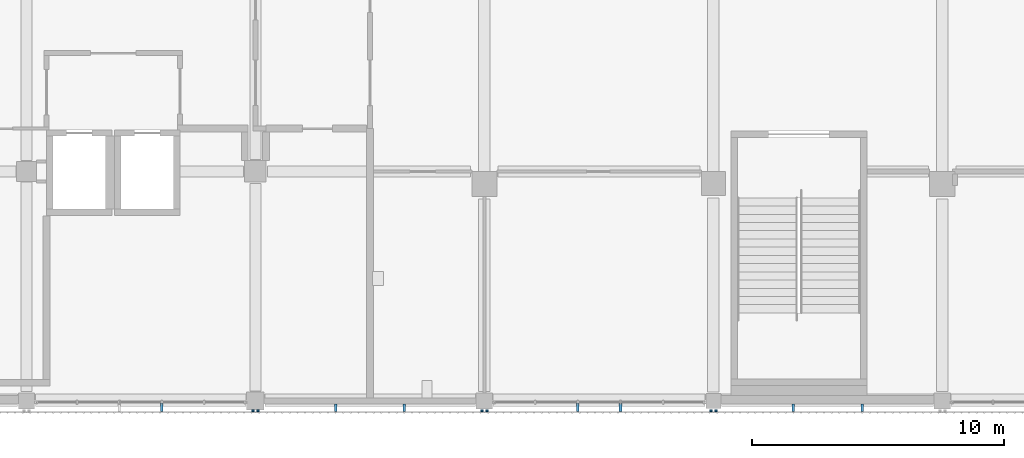
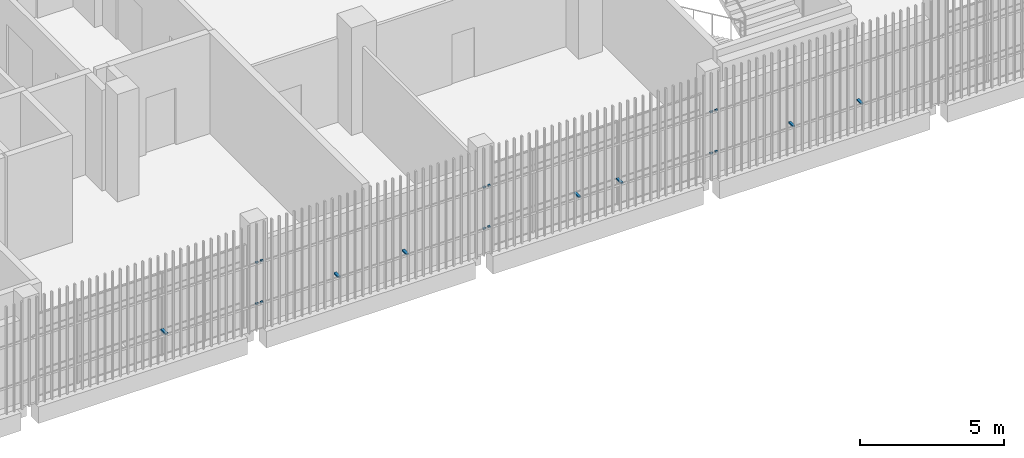
# One storey, part 95 of 126: 19 discrete accessories.
"""IFC4 building model written with IfcOpenShell, lengths in metres."""

import ifcopenshell
import ifcopenshell.guid

model = None  # the IFC model being written
_history = None  # IfcOwnerHistory: only IFC2X3 demands one
_inside = {}  # id of a spatial element -> (the spatial element, [elements in it])
_under = {}  # id of a project, library or spatial element -> (it, [spatial elements below it])
_declared = {}  # id of a project -> (the project, [libraries it declares])
_typed = {}  # id of a type object -> (the type object, [elements of that type])
_made_of = {}  # id of a material, layer set ... -> (it, [elements and type objects made of it])


def new_model(schema):
    """Start an empty IFC model of exactly this schema.

    Asked for "IFC4X3", IfcOpenShell would pick the latest addendum, in which some entities
    have other attributes; the version numbers below select the first issue.
    IFC2X3 requires an IfcOwnerHistory on every rooted entity: one is made here for all.
    """
    global model, _history
    if schema == "IFC4X3":
        model = ifcopenshell.file(schema_version=(4, 3, 0, 0))
    else:
        model = ifcopenshell.file(schema=schema)
    _inside.clear()
    _under.clear()
    _declared.clear()
    _typed.clear()
    _made_of.clear()
    _history = None
    if model.schema == "IFC2X3":
        org = make("IfcOrganization", Name="unknown")
        user = make(
            "IfcPersonAndOrganization",
            ThePerson=make("IfcPerson", FamilyName="unknown"),
            TheOrganization=org,
        )
        app = make(
            "IfcApplication",
            ApplicationDeveloper=org,
            Version="unknown",
            ApplicationFullName="unknown",
            ApplicationIdentifier="unknown",
        )
        _history = make(
            "IfcOwnerHistory",
            OwningUser=user,
            OwningApplication=app,
            ChangeAction="ADDED",
            CreationDate=0,
        )
    return model


def make(cls, **values):
    """One entity of the class cls with the attributes given. An attribute that is None is left unset."""
    return model.create_entity(
        cls, **{name: value for name, value in values.items() if value is not None}
    )


def rooted(cls, **values):
    """An entity with a GlobalId (a new one), such as an element, a storey or a relation."""
    return make(cls, GlobalId=ifcopenshell.guid.new(), OwnerHistory=_history, **values)


def si_unit(unit_type, name, prefix=None):
    """IfcSIUnit, for example si_unit("LENGTHUNIT", "METRE", prefix="MILLI")."""
    return make("IfcSIUnit", UnitType=unit_type, Prefix=prefix, Name=name)


def assignment(units):
    """IfcUnitAssignment: the units of a project."""
    return None if units is None else make("IfcUnitAssignment", Units=units)


def point(xyz):
    """IfcCartesianPoint."""
    return None if xyz is None else make("IfcCartesianPoint", Coordinates=xyz)


def direction(xyz):
    """IfcDirection."""
    return None if xyz is None else make("IfcDirection", DirectionRatios=xyz)


def frame(location, z_axis=None, x_axis=None):
    """IfcAxis2Placement3D, a coordinate frame: its origin and axes. An axis left out is left unset."""
    return make(
        "IfcAxis2Placement3D",
        Location=point(location),
        Axis=direction(z_axis),
        RefDirection=direction(x_axis),
    )


def frame_2d(location, x_axis=None):
    """IfcAxis2Placement2D, a coordinate frame in the plane: its origin and x axis."""
    return make(
        "IfcAxis2Placement2D", Location=point(location), RefDirection=direction(x_axis)
    )


def origin():
    """The frame at (0, 0, 0) with its axes left unset."""
    return frame((0.0, 0.0, 0.0))


def origin_2d():
    """The frame at (0, 0) in the plane with its x axis left unset."""
    return frame_2d((0.0, 0.0))


def place(relative_to, where):
    """IfcLocalPlacement: puts the frame where relative to a parent placement (None: the world)."""
    return make(
        "IfcLocalPlacement", PlacementRelTo=relative_to, RelativePlacement=where
    )


def context(
    kind, dimensions, precision=None, world=None, true_north=None, identifier=None
):
    """IfcGeometricRepresentationContext, for example the 3D "Model" context."""
    return make(
        "IfcGeometricRepresentationContext",
        ContextIdentifier=identifier,
        ContextType=kind,
        CoordinateSpaceDimension=dimensions,
        Precision=precision,
        WorldCoordinateSystem=world,
        TrueNorth=true_north,
    )


def subcontext(parent, identifier, kind, view, scale=None):
    """IfcGeometricRepresentationSubContext, for example "Body" below "Model"."""
    return make(
        "IfcGeometricRepresentationSubContext",
        ContextIdentifier=identifier,
        ContextType=kind,
        ParentContext=parent,
        TargetScale=scale,
        TargetView=view,
    )


def project(units=None, contexts=None):
    """IfcProject with its units and contexts."""
    return rooted(
        "IfcProject",
        Name="project",
        RepresentationContexts=contexts,
        UnitsInContext=assignment(units),
    )


def spatial(cls, under=None, at=None, **own):
    """A site, building, storey or space (cls), placed at a placement, below another one or the project."""
    s = rooted(cls, ObjectPlacement=at, **own)
    if under is not None:
        _under.setdefault(under.id(), (under, []))[1].append(s)
    return s


def profile(cls, at=None, kind="AREA", **sizes):
    """A parametric profile (cls). Its sizes go by their IFC names, for example OverallWidth=200.0."""
    return make(cls, ProfileType=kind, Position=at, **sizes)


def rectangle(**sizes):
    """IfcRectangleProfileDef."""
    return profile("IfcRectangleProfileDef", **sizes)


def extrude(swept, where, along, depth):
    """IfcExtrudedAreaSolid: the profile swept, set in the frame where, extruded along a direction by depth."""
    return make(
        "IfcExtrudedAreaSolid",
        SweptArea=swept,
        Position=where,
        ExtrudedDirection=direction(along),
        Depth=depth,
    )


def shape(context_of_items, identifier, shape_type, items):
    """IfcShapeRepresentation: the items that make up one representation, for example the "Body"."""
    return make(
        "IfcShapeRepresentation",
        ContextOfItems=context_of_items,
        RepresentationIdentifier=identifier,
        RepresentationType=shape_type,
        Items=items,
    )


def material(Name=None, Category=None):
    """IfcMaterial."""
    return make("IfcMaterial", Name=Name, Category=Category)


def made_of(thing, what):
    """Note that an element or type object is made of a material, layer set ...; save() writes the relation."""
    if what is not None:
        _made_of.setdefault(what.id(), (what, []))[1].append(thing)
    return thing


def type_object(cls, material=None, **own):
    """A type object (cls), such as IfcWallType, which elements share."""
    return made_of(rooted(cls, **own), material)


def element(
    cls,
    number,
    at=None,
    inside=None,
    cuts=None,
    type_object=None,
    material=None,
    context=None,
    identifier="Body",
    shape_type=None,
    held_by="IfcProductDefinitionShape",
    body=None,
    shapes=None,
    **own,
):
    """One element of the class cls, such as IfcWall. Its Tag is "e" and its number.

    at: its placement. inside: the storey or other place that contains it. cuts: it is an
    opening in that element (IfcRelVoidsElement). A single representation is given by context,
    identifier, shape_type and body (its items); several are given by shapes. held_by: the class
    of the entity that holds the representations. save() writes the other relations.
    """
    e = rooted(cls, Tag="e%d" % number, ObjectPlacement=at, **own)
    if body is not None:
        shapes = [shape(context, identifier, shape_type, body)]
    if shapes is not None:
        e.Representation = make(held_by, Representations=shapes)
    if inside is not None:
        _inside.setdefault(inside.id(), (inside, []))[1].append(e)
    if cuts is not None:
        rooted(
            "IfcRelVoidsElement", RelatingBuildingElement=cuts, RelatedOpeningElement=e
        )
    if type_object is not None:
        _typed.setdefault(type_object.id(), (type_object, []))[1].append(e)
    return made_of(e, material)


def aggregate(whole, parts):
    """IfcRelAggregates: a whole, such as a stair, and the parts it consists of."""
    return rooted("IfcRelAggregates", RelatingObject=whole, RelatedObjects=parts)


def save(model, path):
    """Write the relations noted so far, then the file.

    IfcRelAggregates (storeys below a building ...), IfcRelContainedInSpatialStructure (elements
    in a storey), IfcRelDefinesByType, IfcRelAssociatesMaterial and IfcRelDeclares: one each for
    every whole, place, type object, material and project.
    """
    for whole, parts in _under.values():
        aggregate(whole, parts)
    for where, things in _inside.values():
        rooted(
            "IfcRelContainedInSpatialStructure",
            RelatedElements=things,
            RelatingStructure=where,
        )
    for kind, things in _typed.values():
        rooted("IfcRelDefinesByType", RelatedObjects=things, RelatingType=kind)
    for what, things in _made_of.values():
        rooted("IfcRelAssociatesMaterial", RelatedObjects=things, RelatingMaterial=what)
    for by, libraries in _declared.values():
        rooted("IfcRelDeclares", RelatingContext=by, RelatedDefinitions=libraries)
    model.write(path)


model = new_model("IFC4")

# Units and contexts
model_context = context("Model", 3, precision=1e-05, world=origin(), true_north=direction((0.0, 1.0)))
body_context = subcontext(model_context, "Body", "Model", "MODEL_VIEW")
ifc_project = project(units=[si_unit("LENGTHUNIT", "METRE"), si_unit("AREAUNIT", "SQUARE_METRE"), si_unit("VOLUMEUNIT", "CUBIC_METRE"), si_unit("PLANEANGLEUNIT", "RADIAN"), si_unit("MASSUNIT", "GRAM", prefix="KILO")], contexts=[model_context])

# Site, building, storey
site_placement = place(None, origin())
site = spatial("IfcSite", under=ifc_project, at=site_placement, CompositionType="ELEMENT")
building_placement = place(site_placement, origin())
building = spatial("IfcBuilding", under=site, at=building_placement, Name="Shirokan Park Arena", CompositionType="ELEMENT")
storey_placement = place(building_placement, frame((0.0, 0.0, 6.3701171875)))
storey = spatial("IfcBuildingStorey", under=building, at=storey_placement, Name="L01", CompositionType="ELEMENT", Elevation=6.3701171875)

# Discrete accessories
ifc_material = material(Name="Steel S355", Category="steel")
discrete_accessory_type = type_object("IfcDiscreteAccessoryType", Name="Veil bracket 100x60", PredefinedType="BRACKET", material=ifc_material)
for number, where, z_axis, x_axis, name in (
    (1, (36.300048828125, -0.409912109375, 1.06982421875), (0.0, 0.0, 1.0), (1.0, 0.0, 0.0), "Veil bracket south bay 4 L01 2"),
    (2, (36.300048828125, -0.409912109375, 2.81982421875), (0.0, 0.0, 1.0), (1.0, 0.0, 0.0), "Veil bracket south bay 4 L01 4"),
):
    element("IfcDiscreteAccessory", number, at=place(storey_placement, frame(where, z_axis=z_axis, x_axis=x_axis)), inside=storey, type_object=discrete_accessory_type, Name=name, PredefinedType="BRACKET", context=body_context, shape_type="SweptSolid", body=[
        extrude(rectangle(XDim=0.10009765625, YDim=0.070068359375, at=origin_2d()), origin(), (0.0, 0.0, 1.0), 0.06005859375),
    ])
discrete_accessory_placement = place(storey_placement, frame((32.679931640625, -0.2724609375, 1.06982421875), z_axis=(0.0, 0.0, 1.0), x_axis=(1.0, 0.0, 0.0)))
element("IfcDiscreteAccessory", 3, at=discrete_accessory_placement, inside=storey, type_object=discrete_accessory_type, Name="Veil bracket south bay 4 L01 wall 2", PredefinedType="BRACKET", context=body_context, shape_type="SweptSolid", body=[
    extrude(rectangle(XDim=0.10009765625, YDim=0.344970703125, at=origin_2d()), origin(), (0.0, 0.0, 1.0), 0.06005859375),
])
for number, where, z_axis, x_axis, name in (
    (4, (36.5, -0.409912109375, 1.06982421875), (0.0, 0.0, 1.0), (1.0, 0.0, 0.0), "Veil bracket south bay 5 L01 1"),
    (5, (45.39990234375, -0.409912109375, 1.06982421875), (0.0, 0.0, 1.0), (1.0, 0.0, 0.0), "Veil bracket south bay 5 L01 2"),
    (6, (36.5, -0.409912109375, 2.81982421875), (0.0, 0.0, 1.0), (1.0, 0.0, 0.0), "Veil bracket south bay 5 L01 3"),
    (7, (45.39990234375, -0.409912109375, 2.81982421875), (0.0, 0.0, 1.0), (1.0, 0.0, 0.0), "Veil bracket south bay 5 L01 4"),
):
    element("IfcDiscreteAccessory", number, at=place(storey_placement, frame(where, z_axis=z_axis, x_axis=x_axis)), inside=storey, type_object=discrete_accessory_type, Name=name, PredefinedType="BRACKET", context=body_context, shape_type="SweptSolid", body=[
        extrude(rectangle(XDim=0.10009765625, YDim=0.070068359375, at=origin_2d()), origin(), (0.0, 0.0, 1.0), 0.06005859375),
    ])
for number, where, z_axis, x_axis, name in (
    (8, (39.5849609375, -0.297607421875, 1.06982421875), (0.0, 0.0, 1.0), (1.0, 0.0, 0.0), "Veil bracket south bay 5 L01 wall 1"),
    (9, (42.31494140625, -0.297607421875, 1.06982421875), (0.0, 0.0, 1.0), (1.0, 0.0, 0.0), "Veil bracket south bay 5 L01 wall 2"),
):
    element("IfcDiscreteAccessory", number, at=place(storey_placement, frame(where, z_axis=z_axis, x_axis=x_axis)), inside=storey, type_object=discrete_accessory_type, Name=name, PredefinedType="BRACKET", context=body_context, shape_type="SweptSolid", body=[
        extrude(rectangle(XDim=0.10009765625, YDim=0.294921875, at=origin_2d()), origin(), (0.0, 0.0, 1.0), 0.06005859375),
    ])
for number, where, z_axis, x_axis, name in (
    (10, (45.60009765625, -0.409912109375, 1.06982421875), (0.0, 0.0, 1.0), (1.0, 0.0, 0.0), "Veil bracket south bay 6 L01 1"),
    (11, (54.5, -0.409912109375, 1.06982421875), (0.0, 0.0, 1.0), (1.0, 0.0, 0.0), "Veil bracket south bay 6 L01 2"),
    (12, (45.60009765625, -0.409912109375, 2.81982421875), (0.0, 0.0, 1.0), (1.0, 0.0, 0.0), "Veil bracket south bay 6 L01 3"),
    (13, (54.5, -0.409912109375, 2.81982421875), (0.0, 0.0, 1.0), (1.0, 0.0, 0.0), "Veil bracket south bay 6 L01 4"),
):
    element("IfcDiscreteAccessory", number, at=place(storey_placement, frame(where, z_axis=z_axis, x_axis=x_axis)), inside=storey, type_object=discrete_accessory_type, Name=name, PredefinedType="BRACKET", context=body_context, shape_type="SweptSolid", body=[
        extrude(rectangle(XDim=0.10009765625, YDim=0.070068359375, at=origin_2d()), origin(), (0.0, 0.0, 1.0), 0.06005859375),
    ])
for number, where, z_axis, x_axis, name in (
    (14, (49.215087890625, -0.2724609375, 1.06982421875), (0.0, 0.0, 1.0), (1.0, 0.0, 0.0), "Veil bracket south bay 6 L01 wall 1"),
    (15, (50.909912109375, -0.2724609375, 1.06982421875), (0.0, 0.0, 1.0), (1.0, 0.0, 0.0), "Veil bracket south bay 6 L01 wall 2"),
):
    element("IfcDiscreteAccessory", number, at=place(storey_placement, frame(where, z_axis=z_axis, x_axis=x_axis)), inside=storey, type_object=discrete_accessory_type, Name=name, PredefinedType="BRACKET", context=body_context, shape_type="SweptSolid", body=[
        extrude(rectangle(XDim=0.10009765625, YDim=0.344970703125, at=origin_2d()), origin(), (0.0, 0.0, 1.0), 0.06005859375),
    ])
for number, where, z_axis, x_axis, name in (
    (16, (54.699951171875, -0.409912109375, 1.06982421875), (0.0, 0.0, 1.0), (1.0, 0.0, 0.0), "Veil bracket south bay 7 L01 1"),
    (17, (54.699951171875, -0.409912109375, 2.81982421875), (0.0, 0.0, 1.0), (1.0, 0.0, 0.0), "Veil bracket south bay 7 L01 3"),
):
    element("IfcDiscreteAccessory", number, at=place(storey_placement, frame(where, z_axis=z_axis, x_axis=x_axis)), inside=storey, type_object=discrete_accessory_type, Name=name, PredefinedType="BRACKET", context=body_context, shape_type="SweptSolid", body=[
        extrude(rectangle(XDim=0.10009765625, YDim=0.070068359375, at=origin_2d()), origin(), (0.0, 0.0, 1.0), 0.06005859375),
    ])
for number, where, z_axis, x_axis, name in (
    (18, (57.784912109375, -0.297607421875, 1.06982421875), (0.0, 0.0, 1.0), (1.0, 0.0, 0.0), "Veil bracket south bay 7 L01 wall 1"),
    (19, (60.514892578125, -0.297607421875, 1.06982421875), (0.0, 0.0, 1.0), (1.0, 0.0, 0.0), "Veil bracket south bay 7 L01 wall 2"),
):
    element("IfcDiscreteAccessory", number, at=place(storey_placement, frame(where, z_axis=z_axis, x_axis=x_axis)), inside=storey, type_object=discrete_accessory_type, Name=name, PredefinedType="BRACKET", context=body_context, shape_type="SweptSolid", body=[
        extrude(rectangle(XDim=0.10009765625, YDim=0.294921875, at=origin_2d()), origin(), (0.0, 0.0, 1.0), 0.06005859375),
    ])

save(model, "model.ifc")
